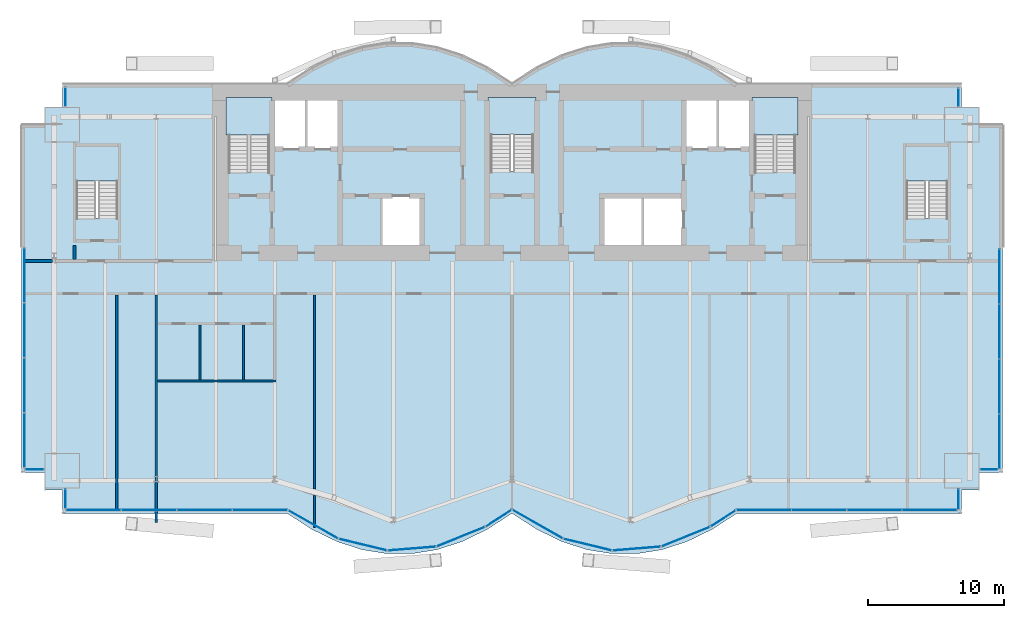
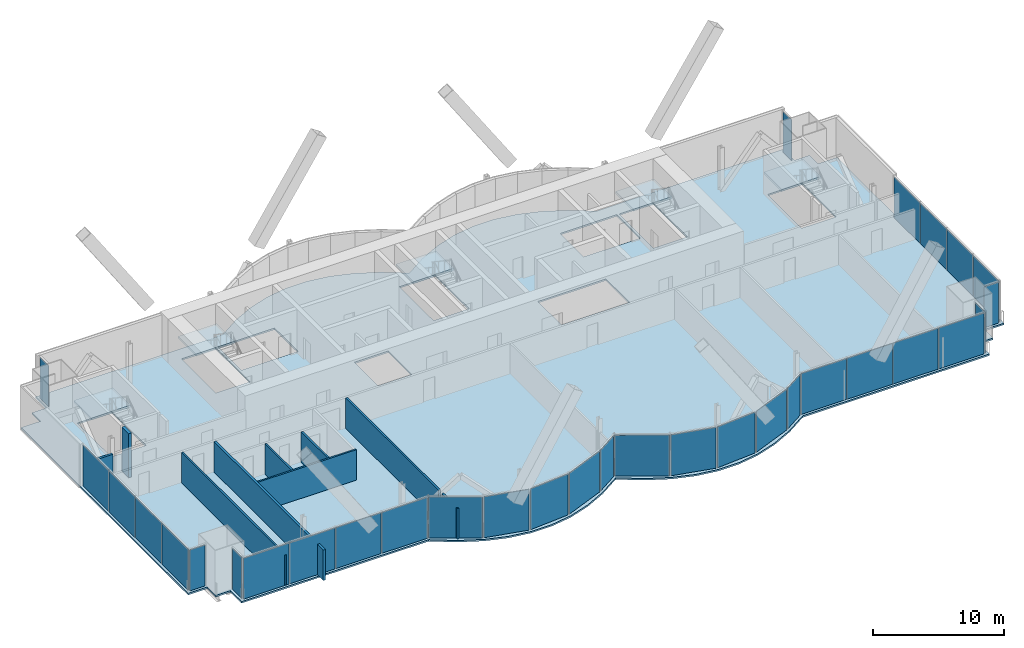
# One storey, part 13 of 20: 32 plates, 9 walls, 6 slabs, 17 elements without a shape of their own.
"""IFC4 building model written with IfcOpenShell, lengths in metres."""

from ifc_helpers import new_model, si_unit, direction, frame, frame_2d, origin, origin_2d, place, context, subcontext, project, spatial, polyline, rectangle, outline, extrude, material, layer, layer_set, type_object, element, aggregate, save


model = new_model("IFC4")

# Units and contexts
model_context = context("Model", 3, precision=1e-05, world=origin(), true_north=direction((0.0, 1.0)))
body_context = subcontext(model_context, "Body", "Model", "MODEL_VIEW")
ifc_project = project(units=[si_unit("LENGTHUNIT", "METRE"), si_unit("AREAUNIT", "SQUARE_METRE"), si_unit("VOLUMEUNIT", "CUBIC_METRE"), si_unit("PLANEANGLEUNIT", "RADIAN"), si_unit("MASSUNIT", "GRAM", prefix="KILO")], contexts=[model_context])

# Site, building, storey
site_placement = place(None, origin())
site = spatial("IfcSite", under=ifc_project, at=site_placement, CompositionType="ELEMENT")
building_placement = place(site_placement, origin())
building = spatial("IfcBuilding", under=site, at=building_placement, Name="Bicima Exchange Tower", CompositionType="ELEMENT")
storey_placement = place(building_placement, frame((0.0, 0.0, 219.60009765625)))
storey = spatial("IfcBuildingStorey", under=building, at=storey_placement, Name="L49", CompositionType="ELEMENT", Elevation=219.60009765625)

# Slab
ifc_material_1 = material(Name="Concrete C40/50", Category="concrete")
ifc_layer_1 = layer(ifc_material_1, 0.14990234375)
ifc_layer_set_1 = layer_set([ifc_layer_1], Name="Concrete C40/50")
slab_type_1 = type_object("IfcSlabType", Name="Composite floor slab 150", PredefinedType="FLOOR", material=ifc_layer_set_1)
slab_1_placement = place(storey_placement, frame((0.0, 0.0, -0.150146484375)))
element("IfcSlab", 1, at=slab_1_placement, inside=storey, type_object=slab_type_1, Name="Floor slab", PredefinedType="FLOOR", context=body_context, shape_type="SweptSolid", body=[
    extrude(outline(polyline([(-36.0, -28.508056640625), (-36.0, -3.0), (-34.300048828125, -3.0), (-34.300048828125, -1.699951171875), (-33.0, -1.699951171875), (-33.0, 0.0), (-16.5, 0.0), (-14.666748046875, 1.185302734375), (-12.833251953125, 2.07421875), (-11.0, 2.666748046875), (-9.166748046875, 2.962890625), (-7.333251953125, 2.962890625), (-5.5, 2.666748046875), (-3.666748046875, 2.07421875), (-1.833251953125, 1.185302734375), (0.0, 0.0), (1.833251953125, 1.185302734375), (3.666748046875, 2.07421875), (5.5, 2.666748046875), (7.333251953125, 2.962890625), (9.166748046875, 2.962890625), (11.0, 2.666748046875), (12.833251953125, 2.07421875), (14.666748046875, 1.185302734375), (16.5, 0.0), (33.0, 0.0), (33.0, -1.699951171875), (34.300048828125, -1.699951171875), (34.300048828125, -3.0), (36.0, -3.0), (36.0, -28.508056640625), (34.300048828125, -28.508056640625), (34.300048828125, -29.80810546875), (33.0, -29.80810546875), (33.0, -31.508056640625), (16.5, -31.508056640625), (14.666748046875, -32.693115234375), (12.833251953125, -33.58203125), (11.0, -34.1748046875), (9.166748046875, -34.470947265625), (7.333251953125, -34.470947265625), (5.5, -34.1748046875), (3.666748046875, -33.58203125), (1.833251953125, -32.693115234375), (0.0, -31.508056640625), (-1.833251953125, -32.693115234375), (-3.666748046875, -33.58203125), (-5.5, -34.1748046875), (-7.333251953125, -34.470947265625), (-9.166748046875, -34.470947265625), (-11.0, -34.1748046875), (-12.833251953125, -33.58203125), (-14.666748046875, -32.693115234375), (-16.5, -31.508056640625), (-33.0, -31.508056640625), (-33.0, -29.80810546875), (-34.300048828125, -29.80810546875), (-34.300048828125, -28.508056640625), (-36.0, -28.508056640625)]), holes=[polyline([(-6.60009765625, -11.800048828125), (-6.60009765625, -8.199951171875), (-9.60009765625, -8.199951171875), (-9.60009765625, -11.800048828125), (-6.60009765625, -11.800048828125)]), polyline([(-31.97509765625, -9.824951171875), (-28.925048828125, -9.824951171875), (-28.925048828125, -4.625), (-31.97509765625, -4.625), (-31.97509765625, -9.824951171875)]), polyline([(-20.800048828125, -6.449951171875), (-17.800048828125, -6.449951171875), (-17.800048828125, -1.199951171875), (-20.800048828125, -1.199951171875), (-20.800048828125, -6.449951171875)]), polyline([(1.574951171875, -6.39990234375), (1.574951171875, -1.199951171875), (-1.574951171875, -1.199951171875), (-1.574951171875, -6.39990234375), (1.574951171875, -6.39990234375)]), polyline([(-12.60009765625, -4.800048828125), (-12.60009765625, -1.199951171875), (-15.10009765625, -1.199951171875), (-17.60009765625, -1.199951171875), (-17.60009765625, -4.800048828125), (-15.10009765625, -4.800048828125), (-12.60009765625, -4.800048828125)]), polyline([(12.60009765625, -8.199951171875), (9.60009765625, -8.199951171875), (6.60009765625, -8.199951171875), (6.60009765625, -11.800048828125), (9.60009765625, -11.800048828125), (12.60009765625, -11.800048828125), (12.60009765625, -8.199951171875)]), polyline([(28.925048828125, -9.824951171875), (31.97509765625, -9.824951171875), (31.97509765625, -4.625), (28.925048828125, -4.625), (28.925048828125, -9.824951171875)]), polyline([(20.800048828125, -6.449951171875), (20.800048828125, -1.199951171875), (17.800048828125, -1.199951171875), (17.800048828125, -6.449951171875), (20.800048828125, -6.449951171875)]), polyline([(17.60009765625, -4.800048828125), (17.60009765625, -1.199951171875), (15.10009765625, -1.199951171875), (12.60009765625, -1.199951171875), (12.60009765625, -4.800048828125), (15.10009765625, -4.800048828125), (17.60009765625, -4.800048828125)])]), origin(), (0.0, 0.0, 1.0), 0.150146484375),
])

# Curtain wall, plate
ifc_material_2 = material(Name="Anodised bronze aluminium", Category="aluminium")
curtain_wall_type_1 = type_object("IfcCurtainWallType", Name="End face glass wall", PredefinedType="NOTDEFINED", material=ifc_material_2)
curtain_wall_1_placement = place(storey_placement, origin())
curtain_wall_1 = element("IfcCurtainWall", 2, at=curtain_wall_1_placement, inside=storey, type_object=curtain_wall_type_1, Name="End face glass wall L49 run 2", PredefinedType="NOTDEFINED")
ifc_material_3 = material(Name="Bronze tinted glass", Category="glass")
ifc_layer_2 = layer(ifc_material_3, 0.031982421875)
ifc_layer_set_2 = layer_set([ifc_layer_2], Name="Bronze tinted glass")
plate_type_1 = type_object("IfcPlateType", Name="End face glass wall glass panel 32", PredefinedType="CURTAIN_PANEL", material=ifc_layer_set_2)
plate_1_placement = place(storey_placement, frame((-35.77001953125, -26.15087890625, -0.000244140625), z_axis=(0.0, 0.0, 1.0), x_axis=(0.0, -1.0, 0.0)))
plate_1 = element("IfcPlate", 3, at=plate_1_placement, type_object=plate_type_1, Name="End face glass wall panel 4.1", PredefinedType="CURTAIN_PANEL", context=body_context, shape_type="SweptSolid", body=[
    extrude(rectangle(XDim=3.974609375, YDim=0.031982421875, at=origin_2d()), origin(), (0.0, 0.0, 1.0), 3.81005859375),
])

curtain_wall_2_placement = place(storey_placement, origin())
curtain_wall_2 = element("IfcCurtainWall", 4, at=curtain_wall_2_placement, inside=storey, type_object=curtain_wall_type_1, Name="End face glass wall L49 run 19", PredefinedType="NOTDEFINED")
plate_2_placement = place(storey_placement, frame((35.77001953125, -26.230712890625, -0.000244140625), z_axis=(0.0, 0.0, 1.0), x_axis=(0.0, 1.0, 0.0)))
plate_2 = element("IfcPlate", 5, at=plate_2_placement, type_object=plate_type_1, Name="End face glass wall panel 1.1", PredefinedType="CURTAIN_PANEL", context=body_context, shape_type="SweptSolid", body=[
    extrude(rectangle(XDim=3.974609375, YDim=0.031982421875, at=origin_2d()), origin(), (0.0, 0.0, 1.0), 3.81005859375),
])

# Plate
ifc_material_4 = material(Name="Bronze anodised aluminium", Category="aluminium")
ifc_layer_3 = layer(ifc_material_4, 0.031982421875)
ifc_layer_set_3 = layer_set([ifc_layer_3], Name="Bronze anodised aluminium")
plate_type_2 = type_object("IfcPlateType", Name="End face glass wall spandrel panel 32", PredefinedType="CURTAIN_PANEL", material=ifc_layer_set_3)
plate_3_placement = place(storey_placement, frame((-35.77001953125, -14.04736328125, -0.000244140625), z_axis=(0.0, 0.0, 1.0), x_axis=(0.0, -1.0, 0.0)))
plate_3 = element("IfcPlate", 6, at=plate_3_placement, type_object=plate_type_2, Name="End face spandrel wall panel 1.1", PredefinedType="CURTAIN_PANEL", context=body_context, shape_type="SweptSolid", body=[
    extrude(rectangle(XDim=3.974609375, YDim=0.031982421875, at=origin_2d()), origin(), (0.0, 0.0, 1.0), 3.81005859375),
])

plate_4_placement = place(storey_placement, frame((-35.77001953125, -18.081787109375, -0.000244140625), z_axis=(0.0, 0.0, 1.0), x_axis=(0.0, -1.0, 0.0)))
plate_4 = element("IfcPlate", 7, at=plate_4_placement, type_object=plate_type_2, Name="End face spandrel wall panel 2.1", PredefinedType="CURTAIN_PANEL", context=body_context, shape_type="SweptSolid", body=[
    extrude(rectangle(XDim=3.974609375, YDim=0.031982421875, at=origin_2d()), origin(), (0.0, 0.0, 1.0), 3.81005859375),
])

plate_5_placement = place(storey_placement, frame((-35.77001953125, -22.1162109375, -0.000244140625), z_axis=(0.0, 0.0, 1.0), x_axis=(0.0, -1.0, 0.0)))
plate_5 = element("IfcPlate", 8, at=plate_5_placement, type_object=plate_type_2, Name="End face spandrel wall panel 3.1", PredefinedType="CURTAIN_PANEL", context=body_context, shape_type="SweptSolid", body=[
    extrude(rectangle(XDim=3.974609375, YDim=0.031982421875, at=origin_2d()), origin(), (0.0, 0.0, 1.0), 3.81005859375),
])

aggregate(curtain_wall_1, [plate_3, plate_4, plate_5, plate_1])

plate_6_placement = place(storey_placement, frame((35.77001953125, -22.1962890625, -0.000244140625), z_axis=(0.0, 0.0, 1.0), x_axis=(0.0, 1.0, 0.0)))
plate_6 = element("IfcPlate", 9, at=plate_6_placement, type_object=plate_type_2, Name="End face spandrel wall panel 2.1", PredefinedType="CURTAIN_PANEL", context=body_context, shape_type="SweptSolid", body=[
    extrude(rectangle(XDim=3.974609375, YDim=0.031982421875, at=origin_2d()), origin(), (0.0, 0.0, 1.0), 3.81005859375),
])

plate_7_placement = place(storey_placement, frame((35.77001953125, -18.161865234375, -0.000244140625), z_axis=(0.0, 0.0, 1.0), x_axis=(0.0, 1.0, 0.0)))
plate_7 = element("IfcPlate", 10, at=plate_7_placement, type_object=plate_type_2, Name="End face spandrel wall panel 3.1", PredefinedType="CURTAIN_PANEL", context=body_context, shape_type="SweptSolid", body=[
    extrude(rectangle(XDim=3.974609375, YDim=0.031982421875, at=origin_2d()), origin(), (0.0, 0.0, 1.0), 3.81005859375),
])

plate_8_placement = place(storey_placement, frame((35.77001953125, -14.127197265625, -0.000244140625), z_axis=(0.0, 0.0, 1.0), x_axis=(0.0, 1.0, 0.0)))
plate_8 = element("IfcPlate", 11, at=plate_8_placement, type_object=plate_type_2, Name="End face spandrel wall panel 4.1", PredefinedType="CURTAIN_PANEL", context=body_context, shape_type="SweptSolid", body=[
    extrude(rectangle(XDim=3.974609375, YDim=0.031982421875, at=origin_2d()), origin(), (0.0, 0.0, 1.0), 3.81005859375),
])

aggregate(curtain_wall_2, [plate_2, plate_6, plate_7, plate_8])

# Curtain wall, plate
curtain_wall_type_2 = type_object("IfcCurtainWallType", Name="Front glass wall", PredefinedType="NOTDEFINED", material=ifc_material_2)
curtain_wall_3_placement = place(storey_placement, origin())
curtain_wall_3 = element("IfcCurtainWall", 12, at=curtain_wall_3_placement, inside=storey, type_object=curtain_wall_type_2, Name="Front glass wall L49 run 1", PredefinedType="NOTDEFINED")
ifc_layer_4 = layer(ifc_material_3, 0.031982421875)
ifc_layer_set_4 = layer_set([ifc_layer_4], Name="Bronze tinted glass")
plate_type_3 = type_object("IfcPlateType", Name="Front glass wall glass panel 32", PredefinedType="CURTAIN_PANEL", material=ifc_layer_set_4)
plate_9_placement = place(storey_placement, frame((-32.77001953125, -0.965087890625, -0.000244140625), z_axis=(0.0, 0.0, 1.0), x_axis=(0.0, -1.0, 0.0)))
plate_9 = element("IfcPlate", 13, at=plate_9_placement, type_object=plate_type_3, Name="Front glass wall panel 1.1", PredefinedType="CURTAIN_PANEL", context=body_context, shape_type="SweptSolid", body=[
    extrude(rectangle(XDim=1.35009765625, YDim=0.031982421875, at=origin_2d()), origin(), (0.0, 0.0, 1.0), 3.81005859375),
])
aggregate(curtain_wall_3, [plate_9])

curtain_wall_4_placement = place(storey_placement, origin())
curtain_wall_4 = element("IfcCurtainWall", 14, at=curtain_wall_4_placement, inside=storey, type_object=curtain_wall_type_2, Name="Front glass wall L49 run 3", PredefinedType="NOTDEFINED")
plate_10_placement = place(storey_placement, frame((-35.034912109375, -28.278076171875, -0.000244140625), z_axis=(0.0, 0.0, 1.0), x_axis=(1.0, 0.0, 0.0)))
plate_10 = element("IfcPlate", 15, at=plate_10_placement, type_object=plate_type_3, Name="Front glass wall panel 1.1", PredefinedType="CURTAIN_PANEL", context=body_context, shape_type="SweptSolid", body=[
    extrude(rectangle(XDim=1.35009765625, YDim=0.031982421875, at=origin_2d()), origin(), (0.0, 0.0, 1.0), 3.81005859375),
])
aggregate(curtain_wall_4, [plate_10])

curtain_wall_5_placement = place(storey_placement, origin())
curtain_wall_5 = element("IfcCurtainWall", 16, at=curtain_wall_5_placement, inside=storey, type_object=curtain_wall_type_2, Name="Front glass wall L49 run 4", PredefinedType="NOTDEFINED")
plate_11_placement = place(storey_placement, frame((-32.77001953125, -30.44189453125, -0.000244140625), z_axis=(0.0, 0.0, 1.0), x_axis=(0.0, -1.0, 0.0)))
plate_11 = element("IfcPlate", 17, at=plate_11_placement, type_object=plate_type_3, Name="Front glass wall panel 1.1", PredefinedType="CURTAIN_PANEL", context=body_context, shape_type="SweptSolid", body=[
    extrude(rectangle(XDim=1.39208984375, YDim=0.031982421875, at=origin_2d()), origin(), (0.0, 0.0, 1.0), 3.81005859375),
])
aggregate(curtain_wall_5, [plate_11])

# Curtain wall, plates
curtain_wall_6_placement = place(storey_placement, origin())
curtain_wall_6 = element("IfcCurtainWall", 18, at=curtain_wall_6_placement, inside=storey, type_object=curtain_wall_type_2, Name="Front glass wall L49 run 5", PredefinedType="NOTDEFINED")
plate_12_placement = place(storey_placement, frame((-30.705322265625, -31.278076171875, -0.000244140625), z_axis=(0.0, 0.0, 1.0), x_axis=(1.0, 0.0, 0.0)))
plate_12 = element("IfcPlate", 19, at=plate_12_placement, type_object=plate_type_3, Name="Front glass wall panel 1.1", PredefinedType="CURTAIN_PANEL", context=body_context, shape_type="SweptSolid", body=[
    extrude(rectangle(XDim=4.009521484375, YDim=0.031982421875, at=origin_2d()), origin(), (0.0, 0.0, 1.0), 3.81005859375),
])
plate_13_placement = place(storey_placement, frame((-26.6357421875, -31.278076171875, -0.000244140625), z_axis=(0.0, 0.0, 1.0), x_axis=(1.0, 0.0, 0.0)))
plate_13 = element("IfcPlate", 20, at=plate_13_placement, type_object=plate_type_3, Name="Front glass wall panel 2.1", PredefinedType="CURTAIN_PANEL", context=body_context, shape_type="SweptSolid", body=[
    extrude(rectangle(XDim=4.009521484375, YDim=0.031982421875, at=origin_2d()), origin(), (0.0, 0.0, 1.0), 3.81005859375),
])

curtain_wall_7_placement = place(storey_placement, origin())
curtain_wall_7 = element("IfcCurtainWall", 21, at=curtain_wall_7_placement, inside=storey, type_object=curtain_wall_type_2, Name="Front glass wall L49 run 6", PredefinedType="NOTDEFINED")
plate_14_placement = place(storey_placement, frame((-7.35107421875, -34.095703125, -0.000244140625), z_axis=(0.0, 0.0, 1.0), x_axis=(0.99674744821, 0.080588612633, 0.0)))
plate_14 = element("IfcPlate", 22, at=plate_14_placement, type_object=plate_type_3, Name="Front glass wall panel 1.1", PredefinedType="CURTAIN_PANEL", context=body_context, shape_type="SweptSolid", body=[
    extrude(rectangle(XDim=3.486083984375, YDim=0.031982421875, at=origin_2d()), origin(), (0.0, 0.0, 1.0), 3.81005859375),
])
plate_15_placement = place(storey_placement, frame((-3.750244140625, -33.221435546875, -0.000244140625), z_axis=(0.0, 0.0, 1.0), x_axis=(0.92714396679, 0.374705304, 0.0)))
plate_15 = element("IfcPlate", 23, at=plate_15_placement, type_object=plate_type_3, Name="Front glass wall panel 1.1", PredefinedType="CURTAIN_PANEL", context=body_context, shape_type="SweptSolid", body=[
    extrude(rectangle(XDim=3.771240234375, YDim=0.031982421875, at=origin_2d()), origin(), (0.0, 0.0, 1.0), 3.81005859375),
])
plate_16_placement = place(storey_placement, frame((-0.97314453125, -31.86328125, -0.000244140625), z_axis=(0.0, 0.0, 1.0), x_axis=(0.839798994301, 0.542897457326, 0.0)))
plate_16 = element("IfcPlate", 24, at=plate_16_placement, type_object=plate_type_3, Name="Front glass wall panel 1.1", PredefinedType="CURTAIN_PANEL", context=body_context, shape_type="SweptSolid", body=[
    extrude(rectangle(XDim=2.197509765625, YDim=0.031982421875, at=origin_2d()), origin(), (0.0, 0.0, 1.0), 3.81005859375),
])

curtain_wall_8_placement = place(storey_placement, origin())
curtain_wall_8 = element("IfcCurtainWall", 25, at=curtain_wall_8_placement, inside=storey, type_object=curtain_wall_type_2, Name="Front glass wall L49 run 11", PredefinedType="NOTDEFINED")
plate_17_placement = place(storey_placement, frame((1.876220703125, -32.30126953125, -0.000244140625), z_axis=(0.0, 0.0, 1.0), x_axis=(0.869274147378, -0.494330311331, 0.0)))
plate_17 = element("IfcPlate", 26, at=plate_17_placement, type_object=plate_type_3, Name="Front glass wall panel 1.1", PredefinedType="CURTAIN_PANEL", context=body_context, shape_type="SweptSolid", body=[
    extrude(rectangle(XDim=4.197021484375, YDim=0.031982421875, at=origin_2d()), origin(), (0.0, 0.0, 1.0), 3.81005859375),
])
plate_18_placement = place(storey_placement, frame((5.55224609375, -33.8046875, -0.000244140625), z_axis=(0.0, 0.0, 1.0), x_axis=(0.971830343553, -0.235681529503, 0.0)))
plate_18 = element("IfcPlate", 27, at=plate_18_placement, type_object=plate_type_3, Name="Front glass wall panel 1.1", PredefinedType="CURTAIN_PANEL", context=body_context, shape_type="SweptSolid", body=[
    extrude(rectangle(XDim=3.583251953125, YDim=0.031982421875, at=origin_2d()), origin(), (0.0, 0.0, 1.0), 3.81005859375),
])
plate_19_placement = place(storey_placement, frame((9.14892578125, -34.095703125, -0.000244140625), z_axis=(0.0, 0.0, 1.0), x_axis=(0.99674744821, 0.080588612633, 0.0)))
plate_19 = element("IfcPlate", 28, at=plate_19_placement, type_object=plate_type_3, Name="Front glass wall panel 1.1", PredefinedType="CURTAIN_PANEL", context=body_context, shape_type="SweptSolid", body=[
    extrude(rectangle(XDim=3.486083984375, YDim=0.031982421875, at=origin_2d()), origin(), (0.0, 0.0, 1.0), 3.81005859375),
])
plate_20_placement = place(storey_placement, frame((15.492919921875, -31.88525390625, -0.000244140625), z_axis=(0.0, 0.0, 1.0), x_axis=(0.839791413941, 0.542909183079, 0.0)))
plate_20 = element("IfcPlate", 29, at=plate_20_placement, type_object=plate_type_3, Name="Front glass wall panel 1.1", PredefinedType="CURTAIN_PANEL", context=body_context, shape_type="SweptSolid", body=[
    extrude(rectangle(XDim=2.11669921875, YDim=0.031982421875, at=origin_2d()), origin(), (0.0, 0.0, 1.0), 3.81005859375),
])

curtain_wall_9_placement = place(storey_placement, origin())
curtain_wall_9 = element("IfcCurtainWall", 30, at=curtain_wall_9_placement, inside=storey, type_object=curtain_wall_type_2, Name="Front glass wall L49 run 16", PredefinedType="NOTDEFINED")
plate_21_placement = place(storey_placement, frame((26.585693359375, -31.278076171875, -0.000244140625), z_axis=(0.0, 0.0, 1.0), x_axis=(1.0, 0.0, 0.0)))
plate_21 = element("IfcPlate", 31, at=plate_21_placement, type_object=plate_type_3, Name="Front glass wall panel 3.1", PredefinedType="CURTAIN_PANEL", context=body_context, shape_type="SweptSolid", body=[
    extrude(rectangle(XDim=3.989501953125, YDim=0.031982421875, at=origin_2d()), origin(), (0.0, 0.0, 1.0), 3.81005859375),
])
plate_22_placement = place(storey_placement, frame((30.63525390625, -31.278076171875, -0.000244140625), z_axis=(0.0, 0.0, 1.0), x_axis=(1.0, 0.0, 0.0)))
plate_22 = element("IfcPlate", 32, at=plate_22_placement, type_object=plate_type_3, Name="Front glass wall panel 4.1", PredefinedType="CURTAIN_PANEL", context=body_context, shape_type="SweptSolid", body=[
    extrude(rectangle(XDim=3.989501953125, YDim=0.031982421875, at=origin_2d()), origin(), (0.0, 0.0, 1.0), 3.81005859375),
])

# Curtain wall, plate
curtain_wall_10_placement = place(storey_placement, origin())
curtain_wall_10 = element("IfcCurtainWall", 33, at=curtain_wall_10_placement, inside=storey, type_object=curtain_wall_type_2, Name="Front glass wall L49 run 17", PredefinedType="NOTDEFINED")
plate_23_placement = place(storey_placement, frame((32.77001953125, -30.48193359375, -0.000244140625), z_axis=(0.0, 0.0, 1.0), x_axis=(0.0, 1.0, 0.0)))
plate_23 = element("IfcPlate", 34, at=plate_23_placement, type_object=plate_type_3, Name="Front glass wall panel 1.1", PredefinedType="CURTAIN_PANEL", context=body_context, shape_type="SweptSolid", body=[
    extrude(rectangle(XDim=1.471923828125, YDim=0.031982421875, at=origin_2d()), origin(), (0.0, 0.0, 1.0), 3.81005859375),
])
aggregate(curtain_wall_10, [plate_23])

curtain_wall_11_placement = place(storey_placement, origin())
curtain_wall_11 = element("IfcCurtainWall", 35, at=curtain_wall_11_placement, inside=storey, type_object=curtain_wall_type_2, Name="Front glass wall L49 run 18", PredefinedType="NOTDEFINED")
plate_24_placement = place(storey_placement, frame((34.9951171875, -28.278076171875, -0.000244140625), z_axis=(0.0, 0.0, 1.0), x_axis=(1.0, 0.0, 0.0)))
plate_24 = element("IfcPlate", 36, at=plate_24_placement, type_object=plate_type_3, Name="Front glass wall panel 1.1", PredefinedType="CURTAIN_PANEL", context=body_context, shape_type="SweptSolid", body=[
    extrude(rectangle(XDim=1.27001953125, YDim=0.031982421875, at=origin_2d()), origin(), (0.0, 0.0, 1.0), 3.81005859375),
])
aggregate(curtain_wall_11, [plate_24])

curtain_wall_12_placement = place(storey_placement, origin())
curtain_wall_12 = element("IfcCurtainWall", 37, at=curtain_wall_12_placement, inside=storey, type_object=curtain_wall_type_2, Name="Front glass wall L49 run 20", PredefinedType="NOTDEFINED")
plate_25_placement = place(storey_placement, frame((32.77001953125, -1.0048828125, -0.000244140625), z_axis=(0.0, 0.0, 1.0), x_axis=(0.0, 1.0, 0.0)))
plate_25 = element("IfcPlate", 38, at=plate_25_placement, type_object=plate_type_3, Name="Front glass wall panel 1.1", PredefinedType="CURTAIN_PANEL", context=body_context, shape_type="SweptSolid", body=[
    extrude(rectangle(XDim=1.27001953125, YDim=0.031982421875, at=origin_2d()), origin(), (0.0, 0.0, 1.0), 3.81005859375),
])
aggregate(curtain_wall_12, [plate_25])

# Plate
ifc_layer_5 = layer(ifc_material_4, 0.031982421875)
ifc_layer_set_5 = layer_set([ifc_layer_5], Name="Bronze anodised aluminium")
plate_type_4 = type_object("IfcPlateType", Name="Front glass wall spandrel panel 32", PredefinedType="CURTAIN_PANEL", material=ifc_layer_set_5)
plate_26_placement = place(storey_placement, frame((-22.56640625, -31.278076171875, -0.000244140625), z_axis=(0.0, 0.0, 1.0), x_axis=(1.0, 0.0, 0.0)))
plate_26 = element("IfcPlate", 39, at=plate_26_placement, type_object=plate_type_4, Name="Front spandrel wall panel 3.1", PredefinedType="CURTAIN_PANEL", context=body_context, shape_type="SweptSolid", body=[
    extrude(rectangle(XDim=4.009521484375, YDim=0.031982421875, at=origin_2d()), origin(), (0.0, 0.0, 1.0), 3.81005859375),
])

plate_27_placement = place(storey_placement, frame((-18.496826171875, -31.278076171875, -0.000244140625), z_axis=(0.0, 0.0, 1.0), x_axis=(1.0, 0.0, 0.0)))
plate_27 = element("IfcPlate", 40, at=plate_27_placement, type_object=plate_type_4, Name="Front spandrel wall panel 4.1", PredefinedType="CURTAIN_PANEL", context=body_context, shape_type="SweptSolid", body=[
    extrude(rectangle(XDim=4.009521484375, YDim=0.031982421875, at=origin_2d()), origin(), (0.0, 0.0, 1.0), 3.81005859375),
])

aggregate(curtain_wall_6, [plate_12, plate_13, plate_26, plate_27])

plate_28_placement = place(storey_placement, frame((-14.589599609375, -32.322998046875, -0.000244140625), z_axis=(0.0, 0.0, 1.0), x_axis=(0.869805110681, -0.493395449343, 0.0)))
plate_28 = element("IfcPlate", 41, at=plate_28_placement, type_object=plate_type_4, Name="Front spandrel wall panel 1.1", PredefinedType="CURTAIN_PANEL", context=body_context, shape_type="SweptSolid", body=[
    extrude(rectangle(XDim=4.1162109375, YDim=0.031982421875, at=origin_2d()), origin(), (0.0, 0.0, 1.0), 3.81005859375),
])

plate_29_placement = place(storey_placement, frame((-10.94775390625, -33.8046875, -0.000244140625), z_axis=(0.0, 0.0, 1.0), x_axis=(0.971830343553, -0.235681529503, 0.0)))
plate_29 = element("IfcPlate", 42, at=plate_29_placement, type_object=plate_type_4, Name="Front spandrel wall panel 1.1", PredefinedType="CURTAIN_PANEL", context=body_context, shape_type="SweptSolid", body=[
    extrude(rectangle(XDim=3.583251953125, YDim=0.031982421875, at=origin_2d()), origin(), (0.0, 0.0, 1.0), 3.81005859375),
])

aggregate(curtain_wall_7, [plate_28, plate_29, plate_14, plate_15, plate_16])

plate_30_placement = place(storey_placement, frame((12.749755859375, -33.221435546875, -0.000244140625), z_axis=(0.0, 0.0, 1.0), x_axis=(0.92714396679, 0.374705304, 0.0)))
plate_30 = element("IfcPlate", 43, at=plate_30_placement, type_object=plate_type_4, Name="Front spandrel wall panel 1.1", PredefinedType="CURTAIN_PANEL", context=body_context, shape_type="SweptSolid", body=[
    extrude(rectangle(XDim=3.771240234375, YDim=0.031982421875, at=origin_2d()), origin(), (0.0, 0.0, 1.0), 3.81005859375),
])

aggregate(curtain_wall_8, [plate_17, plate_18, plate_19, plate_30, plate_20])

plate_31_placement = place(storey_placement, frame((18.48681640625, -31.278076171875, -0.000244140625), z_axis=(0.0, 0.0, 1.0), x_axis=(1.0, 0.0, 0.0)))
plate_31 = element("IfcPlate", 44, at=plate_31_placement, type_object=plate_type_4, Name="Front spandrel wall panel 1.1", PredefinedType="CURTAIN_PANEL", context=body_context, shape_type="SweptSolid", body=[
    extrude(rectangle(XDim=3.989501953125, YDim=0.031982421875, at=origin_2d()), origin(), (0.0, 0.0, 1.0), 3.81005859375),
])

plate_32_placement = place(storey_placement, frame((22.536376953125, -31.278076171875, -0.000244140625), z_axis=(0.0, 0.0, 1.0), x_axis=(1.0, 0.0, 0.0)))
plate_32 = element("IfcPlate", 45, at=plate_32_placement, type_object=plate_type_4, Name="Front spandrel wall panel 2.1", PredefinedType="CURTAIN_PANEL", context=body_context, shape_type="SweptSolid", body=[
    extrude(rectangle(XDim=3.989501953125, YDim=0.031982421875, at=origin_2d()), origin(), (0.0, 0.0, 1.0), 3.81005859375),
])

aggregate(curtain_wall_9, [plate_31, plate_32, plate_21, plate_22])

# Stair, slab
ifc_material_5 = material(Name="Concrete C50/60", Category="concrete")
stair_type_1 = type_object("IfcStairType", Name="Exit stair", PredefinedType="HALF_TURN_STAIR", material=ifc_material_5)
stair_1_placement = place(storey_placement, origin())
stair_1 = element("IfcStair", 46, at=stair_1_placement, inside=storey, type_object=stair_type_1, Name="L49 West exit stair", PredefinedType="HALF_TURN_STAIR")
ifc_layer_6 = layer(ifc_material_5, 0.199951171875)
ifc_layer_set_6 = layer_set([ifc_layer_6], Name="Concrete C50/60")
slab_type_2 = type_object("IfcSlabType", Name="Stair landing slab", PredefinedType="LANDING", material=ifc_layer_set_6)
slab_2_placement = place(storey_placement, frame((0.0, 0.0, 1.849853515625)))
slab_2 = element("IfcSlab", 47, at=slab_2_placement, type_object=slab_type_2, Name="ST-W landing 1", PredefinedType="LANDING", context=body_context, shape_type="SweptSolid", body=[
    extrude(outline(polyline([(-17.60009765625, -3.75), (-17.60009765625, -1.0), (-21.0, -1.0), (-21.0, -3.75), (-17.60009765625, -3.75)])), origin(), (0.0, 0.0, 1.0), 0.199951171875),
])
aggregate(stair_1, [slab_2])

stair_type_2 = type_object("IfcStairType", Name="Exit stair 1500", PredefinedType="HALF_TURN_STAIR", material=ifc_material_5)
stair_2_placement = place(storey_placement, origin())
stair_2 = element("IfcStair", 48, at=stair_2_placement, inside=storey, type_object=stair_type_2, Name="L49 Central exit stair", PredefinedType="HALF_TURN_STAIR")
slab_3_placement = place(storey_placement, frame((0.0, 0.0, 1.849853515625)))
slab_3 = element("IfcSlab", 49, at=slab_3_placement, type_object=slab_type_2, Name="ST-C landing 1", PredefinedType="LANDING", context=body_context, shape_type="SweptSolid", body=[
    extrude(outline(polyline([(1.77490234375, -3.699951171875), (1.77490234375, -1.0), (-1.77490234375, -1.0), (-1.77490234375, -3.699951171875), (1.77490234375, -3.699951171875)])), origin(), (0.0, 0.0, 1.0), 0.199951171875),
])
aggregate(stair_2, [slab_3])

stair_3_placement = place(storey_placement, origin())
stair_3 = element("IfcStair", 50, at=stair_3_placement, inside=storey, type_object=stair_type_1, Name="L49 East exit stair", PredefinedType="HALF_TURN_STAIR")
slab_4_placement = place(storey_placement, frame((0.0, 0.0, 1.849853515625)))
slab_4 = element("IfcSlab", 51, at=slab_4_placement, type_object=slab_type_2, Name="ST-E landing 1", PredefinedType="LANDING", context=body_context, shape_type="SweptSolid", body=[
    extrude(outline(polyline([(21.0, -3.75), (21.0, -1.0), (17.60009765625, -1.0), (17.60009765625, -3.75), (21.0, -3.75)])), origin(), (0.0, 0.0, 1.0), 0.199951171875),
])
aggregate(stair_3, [slab_4])

stair_4_placement = place(storey_placement, origin())
stair_4 = element("IfcStair", 52, at=stair_4_placement, inside=storey, type_object=stair_type_1, Name="L49 West end exit stair", PredefinedType="HALF_TURN_STAIR")
slab_5_placement = place(storey_placement, frame((0.0, 0.0, 1.849853515625)))
slab_5 = element("IfcSlab", 53, at=slab_5_placement, type_object=slab_type_2, Name="ST-WW landing 1", PredefinedType="LANDING", context=body_context, shape_type="SweptSolid", body=[
    extrude(outline(polyline([(-28.72509765625, -7.125), (-28.72509765625, -4.425048828125), (-32.175048828125, -4.425048828125), (-32.175048828125, -7.125), (-28.72509765625, -7.125)])), origin(), (0.0, 0.0, 1.0), 0.199951171875),
])
aggregate(stair_4, [slab_5])

stair_5_placement = place(storey_placement, origin())
stair_5 = element("IfcStair", 54, at=stair_5_placement, inside=storey, type_object=stair_type_1, Name="L49 East end exit stair", PredefinedType="HALF_TURN_STAIR")
slab_6_placement = place(storey_placement, frame((0.0, 0.0, 1.849853515625)))
slab_6 = element("IfcSlab", 55, at=slab_6_placement, type_object=slab_type_2, Name="ST-EE landing 1", PredefinedType="LANDING", context=body_context, shape_type="SweptSolid", body=[
    extrude(outline(polyline([(32.175048828125, -7.125), (32.175048828125, -4.425048828125), (28.72509765625, -4.425048828125), (28.72509765625, -7.125), (32.175048828125, -7.125)])), origin(), (0.0, 0.0, 1.0), 0.199951171875),
])
aggregate(stair_5, [slab_6])

# Walls
ifc_material_6 = material(Name="Gypsum board partition")
ifc_layer_7 = layer(ifc_material_6, 0.199951171875)
ifc_layer_set_7 = layer_set([ifc_layer_7], Name="Gypsum board partition")
wall_type_1 = type_object("IfcWallType", Name="Fire-rated gypsum partition 200 EI60", PredefinedType="PARTITIONING", material=ifc_layer_set_7)
wall_1_placement = place(storey_placement, frame((-35.679931640625, -13.0, 0.0), z_axis=(0.0, 0.0, 1.0), x_axis=(1.0, 0.0, 0.0)))
element("IfcWall", 56, at=wall_1_placement, inside=storey, type_object=wall_type_1, Name="partition wall 4", PredefinedType="PARTITIONING", context=body_context, shape_type="SweptSolid", body=[
    extrude(rectangle(XDim=1.9599609375, YDim=0.199951171875, at=frame_2d((0.97998046875, 0.0))), origin(), (0.0, 0.0, 1.0), 2.840087890625),
])
wall_2_placement = place(storey_placement, frame((-26.10009765625, -32.197509765625, 0.0), z_axis=(0.0, 0.0, 1.0), x_axis=(0.0, 1.0, 0.0)))
element("IfcWall", 57, at=wall_2_placement, inside=storey, type_object=wall_type_1, Name="partition wall 15", PredefinedType="PARTITIONING", context=body_context, shape_type="SweptSolid", body=[
    extrude(rectangle(XDim=16.697509765625, YDim=0.199951171875, at=frame_2d((8.3486328125, 0.0))), origin(), (0.0, 0.0, 1.0), 2.840087890625),
])
ifc_layer_8 = layer(ifc_material_6, 0.14990234375)
ifc_layer_set_8 = layer_set([ifc_layer_8], Name="Gypsum board partition")
wall_type_2 = type_object("IfcWallType", Name="Gypsum partition 150", PredefinedType="PARTITIONING", material=ifc_layer_set_8)
wall_3_placement = place(storey_placement, frame((-26.0, -21.800048828125, 0.0), z_axis=(0.0, 0.0, 1.0), x_axis=(1.0, 0.0, 0.0)))
element("IfcWall", 58, at=wall_3_placement, inside=storey, type_object=wall_type_2, Name="partition wall 1", PredefinedType="PARTITIONING", context=body_context, shape_type="SweptSolid", body=[
    extrude(rectangle(XDim=8.699951171875, YDim=0.14990234375, at=frame_2d((4.35009765625, 0.0))), origin(), (0.0, 0.0, 1.0), 2.840087890625),
])
wall_4_placement = place(storey_placement, frame((-29.0, -31.300048828125, 0.0), z_axis=(0.0, 0.0, 1.0), x_axis=(0.0, 1.0, 0.0)))
element("IfcWall", 59, at=wall_4_placement, inside=storey, type_object=wall_type_2, Name="partition wall 13", PredefinedType="PARTITIONING", context=body_context, shape_type="SweptSolid", body=[
    extrude(rectangle(XDim=15.800048828125, YDim=0.14990234375, at=frame_2d((7.89990234375, 0.0))), origin(), (0.0, 0.0, 1.0), 2.840087890625),
])
for number, where, z_axis, x_axis, name in (
    (60, (-22.89990234375, -21.72509765625, 0.0), (0.0, 0.0, 1.0), (0.0, 1.0, 0.0), "partition wall 16"),
    (61, (-19.699951171875, -21.72509765625, 0.0), (0.0, 0.0, 1.0), (0.0, 1.0, 0.0), "partition wall 17"),
):
    element("IfcWall", number, at=place(storey_placement, frame(where, z_axis=z_axis, x_axis=x_axis)), inside=storey, type_object=wall_type_2, Name=name, PredefinedType="PARTITIONING", context=body_context, shape_type="SweptSolid", body=[
        extrude(rectangle(XDim=4.025146484375, YDim=0.14990234375, at=frame_2d((2.0126953125, 0.0))), origin(), (0.0, 0.0, 1.0), 2.840087890625),
    ])
wall_5_placement = place(storey_placement, frame((-14.5, -32.5400390625, 0.0), z_axis=(0.0, 0.0, 1.0), x_axis=(0.0, 1.0, 0.0)))
element("IfcWall", 62, at=wall_5_placement, inside=storey, type_object=wall_type_2, Name="partition wall 19", PredefinedType="PARTITIONING", context=body_context, shape_type="SweptSolid", body=[
    extrude(rectangle(XDim=2.3603515625, YDim=0.14990234375, at=frame_2d((1.18017578125, 0.0))), origin(), (0.0, 0.0, 1.0), 2.840087890625),
])
wall_6_placement = place(storey_placement, frame((-14.5, -29.705078125, 0.0), z_axis=(0.0, 0.0, 1.0), x_axis=(0.0, 1.0, 0.0)))
element("IfcWall", 63, at=wall_6_placement, inside=storey, type_object=wall_type_2, Name="partition wall 20", PredefinedType="PARTITIONING", context=body_context, shape_type="SweptSolid", body=[
    extrude(rectangle(XDim=14.205078125, YDim=0.14990234375, at=frame_2d((7.1025390625, 0.0))), origin(), (0.0, 0.0, 1.0), 2.840087890625),
])
ifc_layer_9 = layer(ifc_material_5, 0.25)
ifc_layer_set_9 = layer_set([ifc_layer_9], Name="Concrete C50/60")
wall_type_3 = type_object("IfcWallType", Name="RC core wall 250 C50/60", PredefinedType="SHEAR", material=ifc_layer_set_9)
wall_7_placement = place(storey_placement, frame((-32.10009765625, -12.89990234375, 0.0), z_axis=(0.0, 0.0, 1.0), x_axis=(0.0, 1.0, 0.0)))
element("IfcWall", 64, at=wall_7_placement, inside=storey, type_object=wall_type_3, Name="stair wall 12", PredefinedType="SHEAR", context=body_context, shape_type="SweptSolid", body=[
    extrude(rectangle(XDim=1.0498046875, YDim=0.25, at=frame_2d((0.52490234375, 0.0))), origin(), (0.0, 0.0, 1.0), 4.099853515625),
])

save(model, "model.ifc")
